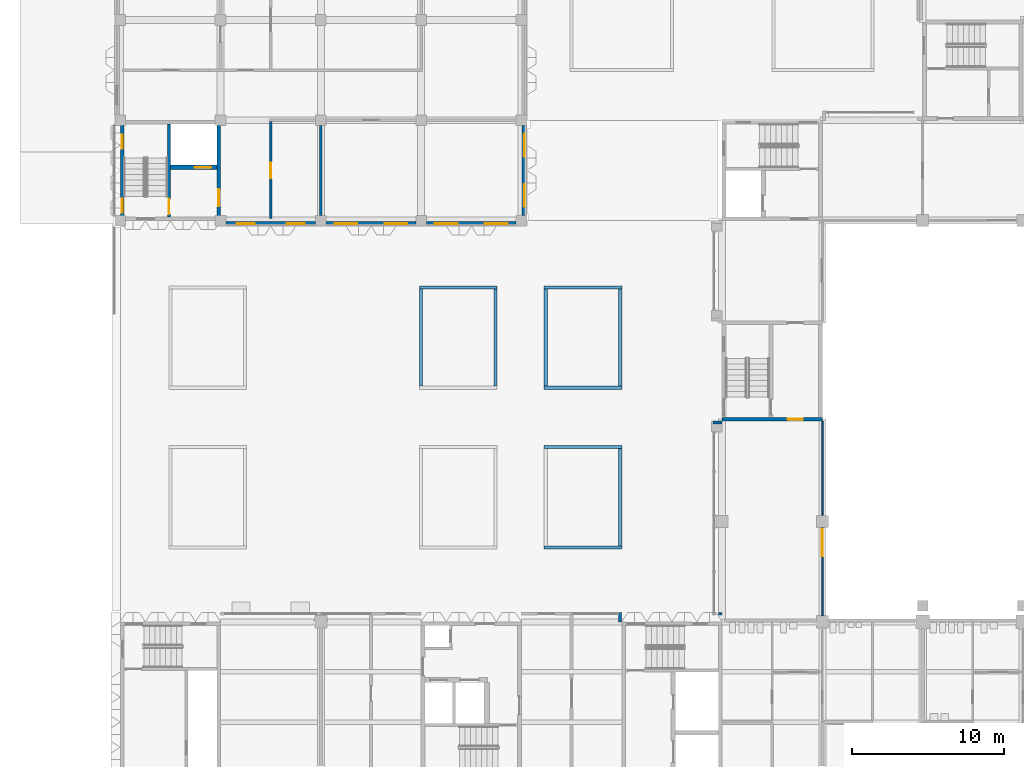
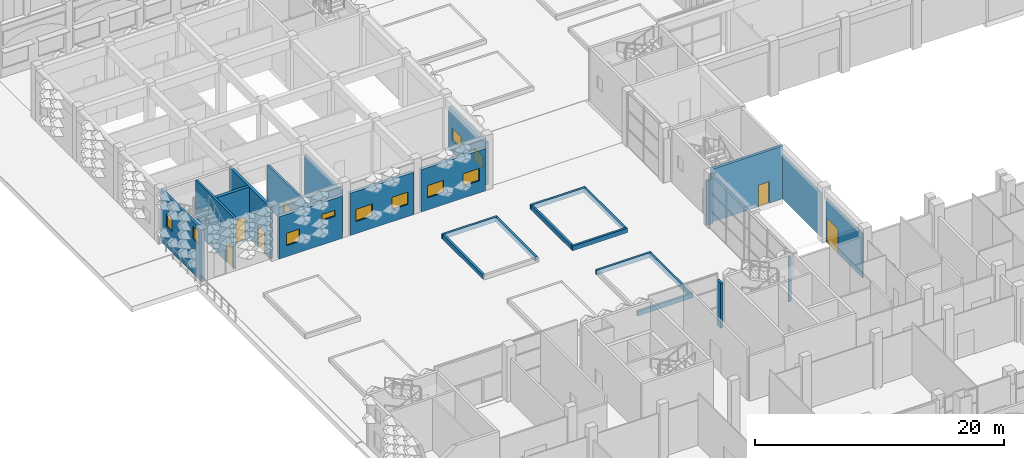
# One storey, part 31 of 85: 26 walls, 10 windows, 6 doors, 16 openings.
"""IFC4 building model written with IfcOpenShell, lengths in metres."""

import ifcopenshell
import ifcopenshell.guid

model = None  # the IFC model being written
_history = None  # IfcOwnerHistory: only IFC2X3 demands one
_inside = {}  # id of a spatial element -> (the spatial element, [elements in it])
_under = {}  # id of a project, library or spatial element -> (it, [spatial elements below it])
_declared = {}  # id of a project -> (the project, [libraries it declares])
_typed = {}  # id of a type object -> (the type object, [elements of that type])
_made_of = {}  # id of a material, layer set ... -> (it, [elements and type objects made of it])


def new_model(schema):
    """Start an empty IFC model of exactly this schema.

    Asked for "IFC4X3", IfcOpenShell would pick the latest addendum, in which some entities
    have other attributes; the version numbers below select the first issue.
    IFC2X3 requires an IfcOwnerHistory on every rooted entity: one is made here for all.
    """
    global model, _history
    if schema == "IFC4X3":
        model = ifcopenshell.file(schema_version=(4, 3, 0, 0))
    else:
        model = ifcopenshell.file(schema=schema)
    _inside.clear()
    _under.clear()
    _declared.clear()
    _typed.clear()
    _made_of.clear()
    _history = None
    if model.schema == "IFC2X3":
        org = make("IfcOrganization", Name="unknown")
        user = make(
            "IfcPersonAndOrganization",
            ThePerson=make("IfcPerson", FamilyName="unknown"),
            TheOrganization=org,
        )
        app = make(
            "IfcApplication",
            ApplicationDeveloper=org,
            Version="unknown",
            ApplicationFullName="unknown",
            ApplicationIdentifier="unknown",
        )
        _history = make(
            "IfcOwnerHistory",
            OwningUser=user,
            OwningApplication=app,
            ChangeAction="ADDED",
            CreationDate=0,
        )
    return model


def make(cls, **values):
    """One entity of the class cls with the attributes given. An attribute that is None is left unset."""
    return model.create_entity(
        cls, **{name: value for name, value in values.items() if value is not None}
    )


def rooted(cls, **values):
    """An entity with a GlobalId (a new one), such as an element, a storey or a relation."""
    return make(cls, GlobalId=ifcopenshell.guid.new(), OwnerHistory=_history, **values)


def si_unit(unit_type, name, prefix=None):
    """IfcSIUnit, for example si_unit("LENGTHUNIT", "METRE", prefix="MILLI")."""
    return make("IfcSIUnit", UnitType=unit_type, Prefix=prefix, Name=name)


def assignment(units):
    """IfcUnitAssignment: the units of a project."""
    return None if units is None else make("IfcUnitAssignment", Units=units)


def point(xyz):
    """IfcCartesianPoint."""
    return None if xyz is None else make("IfcCartesianPoint", Coordinates=xyz)


def direction(xyz):
    """IfcDirection."""
    return None if xyz is None else make("IfcDirection", DirectionRatios=xyz)


def frame(location, z_axis=None, x_axis=None):
    """IfcAxis2Placement3D, a coordinate frame: its origin and axes. An axis left out is left unset."""
    return make(
        "IfcAxis2Placement3D",
        Location=point(location),
        Axis=direction(z_axis),
        RefDirection=direction(x_axis),
    )


def frame_2d(location, x_axis=None):
    """IfcAxis2Placement2D, a coordinate frame in the plane: its origin and x axis."""
    return make(
        "IfcAxis2Placement2D", Location=point(location), RefDirection=direction(x_axis)
    )


def origin():
    """The frame at (0, 0, 0) with its axes left unset."""
    return frame((0.0, 0.0, 0.0))


def place(relative_to, where):
    """IfcLocalPlacement: puts the frame where relative to a parent placement (None: the world)."""
    return make(
        "IfcLocalPlacement", PlacementRelTo=relative_to, RelativePlacement=where
    )


def context(
    kind, dimensions, precision=None, world=None, true_north=None, identifier=None
):
    """IfcGeometricRepresentationContext, for example the 3D "Model" context."""
    return make(
        "IfcGeometricRepresentationContext",
        ContextIdentifier=identifier,
        ContextType=kind,
        CoordinateSpaceDimension=dimensions,
        Precision=precision,
        WorldCoordinateSystem=world,
        TrueNorth=true_north,
    )


def subcontext(parent, identifier, kind, view, scale=None):
    """IfcGeometricRepresentationSubContext, for example "Body" below "Model"."""
    return make(
        "IfcGeometricRepresentationSubContext",
        ContextIdentifier=identifier,
        ContextType=kind,
        ParentContext=parent,
        TargetScale=scale,
        TargetView=view,
    )


def project(units=None, contexts=None):
    """IfcProject with its units and contexts."""
    return rooted(
        "IfcProject",
        Name="project",
        RepresentationContexts=contexts,
        UnitsInContext=assignment(units),
    )


def spatial(cls, under=None, at=None, **own):
    """A site, building, storey or space (cls), placed at a placement, below another one or the project."""
    s = rooted(cls, ObjectPlacement=at, **own)
    if under is not None:
        _under.setdefault(under.id(), (under, []))[1].append(s)
    return s


def profile(cls, at=None, kind="AREA", **sizes):
    """A parametric profile (cls). Its sizes go by their IFC names, for example OverallWidth=200.0."""
    return make(cls, ProfileType=kind, Position=at, **sizes)


def rectangle(**sizes):
    """IfcRectangleProfileDef."""
    return profile("IfcRectangleProfileDef", **sizes)


def extrude(swept, where, along, depth):
    """IfcExtrudedAreaSolid: the profile swept, set in the frame where, extruded along a direction by depth."""
    return make(
        "IfcExtrudedAreaSolid",
        SweptArea=swept,
        Position=where,
        ExtrudedDirection=direction(along),
        Depth=depth,
    )


def shape(context_of_items, identifier, shape_type, items):
    """IfcShapeRepresentation: the items that make up one representation, for example the "Body"."""
    return make(
        "IfcShapeRepresentation",
        ContextOfItems=context_of_items,
        RepresentationIdentifier=identifier,
        RepresentationType=shape_type,
        Items=items,
    )


def material(Name=None, Category=None):
    """IfcMaterial."""
    return make("IfcMaterial", Name=Name, Category=Category)


def layer(
    of_material, thickness, ventilated=None, Name=None, Category=None, Priority=None
):
    """IfcMaterialLayer: one layer of a wall or slab, of a material (None: an air gap)."""
    return make(
        "IfcMaterialLayer",
        Material=of_material,
        LayerThickness=thickness,
        IsVentilated=ventilated,
        Name=Name,
        Category=Category,
        Priority=Priority,
    )


def layer_set(layers, Name=None):
    """IfcMaterialLayerSet."""
    return make("IfcMaterialLayerSet", MaterialLayers=layers, LayerSetName=Name)


def made_of(thing, what):
    """Note that an element or type object is made of a material, layer set ...; save() writes the relation."""
    if what is not None:
        _made_of.setdefault(what.id(), (what, []))[1].append(thing)
    return thing


def type_object(cls, material=None, **own):
    """A type object (cls), such as IfcWallType, which elements share."""
    return made_of(rooted(cls, **own), material)


def element(
    cls,
    number,
    at=None,
    inside=None,
    cuts=None,
    type_object=None,
    material=None,
    context=None,
    identifier="Body",
    shape_type=None,
    held_by="IfcProductDefinitionShape",
    body=None,
    shapes=None,
    **own,
):
    """One element of the class cls, such as IfcWall. Its Tag is "e" and its number.

    at: its placement. inside: the storey or other place that contains it. cuts: it is an
    opening in that element (IfcRelVoidsElement). A single representation is given by context,
    identifier, shape_type and body (its items); several are given by shapes. held_by: the class
    of the entity that holds the representations. save() writes the other relations.
    """
    e = rooted(cls, Tag="e%d" % number, ObjectPlacement=at, **own)
    if body is not None:
        shapes = [shape(context, identifier, shape_type, body)]
    if shapes is not None:
        e.Representation = make(held_by, Representations=shapes)
    if inside is not None:
        _inside.setdefault(inside.id(), (inside, []))[1].append(e)
    if cuts is not None:
        rooted(
            "IfcRelVoidsElement", RelatingBuildingElement=cuts, RelatedOpeningElement=e
        )
    if type_object is not None:
        _typed.setdefault(type_object.id(), (type_object, []))[1].append(e)
    return made_of(e, material)


def fill(opening, filler):
    """IfcRelFillsElement: the door or window that sits in an opening."""
    return rooted(
        "IfcRelFillsElement",
        RelatingOpeningElement=opening,
        RelatedBuildingElement=filler,
    )


def aggregate(whole, parts):
    """IfcRelAggregates: a whole, such as a stair, and the parts it consists of."""
    return rooted("IfcRelAggregates", RelatingObject=whole, RelatedObjects=parts)


def save(model, path):
    """Write the relations noted so far, then the file.

    IfcRelAggregates (storeys below a building ...), IfcRelContainedInSpatialStructure (elements
    in a storey), IfcRelDefinesByType, IfcRelAssociatesMaterial and IfcRelDeclares: one each for
    every whole, place, type object, material and project.
    """
    for whole, parts in _under.values():
        aggregate(whole, parts)
    for where, things in _inside.values():
        rooted(
            "IfcRelContainedInSpatialStructure",
            RelatedElements=things,
            RelatingStructure=where,
        )
    for kind, things in _typed.values():
        rooted("IfcRelDefinesByType", RelatedObjects=things, RelatingType=kind)
    for what, things in _made_of.values():
        rooted("IfcRelAssociatesMaterial", RelatedObjects=things, RelatingMaterial=what)
    for by, libraries in _declared.values():
        rooted("IfcRelDeclares", RelatingContext=by, RelatedDefinitions=libraries)
    model.write(path)


model = new_model("IFC4")

# Units and contexts
model_context = context("Model", 3, precision=1e-05, world=origin(), true_north=direction((0.0, 1.0)))
body_context = subcontext(model_context, "Body", "Model", "MODEL_VIEW")
ifc_project = project(units=[si_unit("LENGTHUNIT", "METRE"), si_unit("AREAUNIT", "SQUARE_METRE"), si_unit("VOLUMEUNIT", "CUBIC_METRE"), si_unit("PLANEANGLEUNIT", "RADIAN"), si_unit("MASSUNIT", "GRAM", prefix="KILO")], contexts=[model_context])

# Site, building, storey
site_placement = place(None, origin())
site = spatial("IfcSite", under=ifc_project, at=site_placement, CompositionType="ELEMENT")
building_placement = place(site_placement, origin())
building = spatial("IfcBuilding", under=site, at=building_placement, Name="Lantern Court Research Institute", CompositionType="ELEMENT")
storey_placement = place(building_placement, origin())
storey = spatial("IfcBuildingStorey", under=building, at=storey_placement, Name="L00", CompositionType="ELEMENT", Elevation=0.0)

# Wall, opening, door
ifc_material_1 = material(Name="Coated metal-faced insulated panel")
ifc_layer_1 = layer(ifc_material_1, 0.175048828125)
ifc_layer_set_1 = layer_set([ifc_layer_1], Name="Coated metal-faced insulated panel")
wall_type_1 = type_object("IfcWallType", Name="Clean room wall 175 mm EI 60", PredefinedType="PARTITIONING", material=ifc_layer_set_1)
wall_1_placement = place(storey_placement, frame((9.89990234375, 56.012939453125, 0.0), z_axis=(0.0, 0.0, 1.0), x_axis=(0.0, -1.0, 0.0)))
wall_1 = element("IfcWall", 1, at=wall_1_placement, inside=storey, type_object=wall_type_1, Name="Wall V3-L00-010", PredefinedType="PARTITIONING", context=body_context, shape_type="SweptSolid", body=[
    extrude(rectangle(XDim=6.363037109375, YDim=0.175048828125, at=frame_2d((3.181640625, 0.0))), origin(), (0.0, 0.0, 1.0), 4.14990234375),
])
opening_1_placement = place(wall_1_placement, frame((2.712890625, 0.0, 0.0)))
opening_1 = element("IfcOpeningElement", 2, at=opening_1_placement, cuts=wall_1, Name="Opening D3006", PredefinedType="OPENING", context=body_context, shape_type="SweptSolid", body=[
    extrude(rectangle(XDim=1.0, YDim=2.10009765625, at=frame_2d((0.5, 1.050048828125))), frame((0.0, 0.097412109375, 0.0), z_axis=(0.0, -1.0, 0.0), x_axis=(1.0, 0.0, 0.0)), (0.0, 0.0, 1.0), 0.195068359375),
])
ifc_material_2 = material(Name="Coated metal door leaf")
door_type_1 = type_object("IfcDoorType", Name="Door 1000 x 2100 plant FD60", OperationType="NOTDEFINED", PredefinedType="DOOR", material=ifc_material_2)
door_1_placement = place(opening_1_placement, origin())
door_1 = element("IfcDoor", 3, at=door_1_placement, inside=storey, type_object=door_type_1, Name="Door D3006", OperationType="SINGLE_SWING_RIGHT", OverallHeight=2.10009765625, OverallWidth=1.0, PredefinedType="DOOR", context=body_context, shape_type="SweptSolid", body=[
    extrude(rectangle(XDim=1.0, YDim=2.10009765625, at=frame_2d((0.5, 1.050048828125))), frame((0.0, 0.02490234375, 0.0), z_axis=(0.0, -1.0, 0.0), x_axis=(1.0, 0.0, 0.0)), (0.0, 0.0, 1.0), 0.050048828125),
])
fill(opening_1, door_1)

# Walls
wall_2_placement = place(storey_placement, frame((13.199951171875, 49.85009765625, 0.0), z_axis=(0.0, 0.0, 1.0), x_axis=(0.0, 1.0, 0.0)))
element("IfcWall", 4, at=wall_2_placement, inside=storey, type_object=wall_type_1, Name="Wall V3-L00-012", PredefinedType="PARTITIONING", context=body_context, shape_type="SweptSolid", body=[
    extrude(rectangle(XDim=5.89990234375, YDim=0.175048828125, at=frame_2d((2.949951171875, 0.0))), origin(), (0.0, 0.0, 1.0), 4.14990234375),
])
ifc_material_3 = material(Name="Aluminium alloy 6063-T6", Category="aluminium")
ifc_layer_2 = layer(ifc_material_3, 0.14990234375)
ifc_layer_set_2 = layer_set([ifc_layer_2], Name="Aluminium alloy 6063-T6")
wall_type_2 = type_object("IfcWallType", Name="Entrance screen wall 150 aluminium", PredefinedType="STANDARD", material=ifc_layer_set_2)
wall_3_placement = place(storey_placement, frame((39.375, 23.625, 0.0), z_axis=(0.0, 0.0, 1.0), x_axis=(1.0, 0.0, 0.0)))
element("IfcWall", 5, at=wall_3_placement, inside=storey, type_object=wall_type_2, Name="Exterior wall EW029", PredefinedType="STANDARD", context=body_context, shape_type="SweptSolid", body=[
    extrude(rectangle(XDim=0.22509765625, YDim=0.14990234375, at=frame_2d((0.112548828125, 0.0))), origin(), (0.0, 0.0, 1.0), 4.35009765625),
])

# Wall, opening, door
ifc_material_4 = material(Name="Fire-resistant laminated glass in aluminium frame", Category="aluminium")
ifc_layer_3 = layer(ifc_material_4, 0.10009765625)
ifc_layer_set_3 = layer_set([ifc_layer_3], Name="Fire-resistant laminated glass in aluminium frame")
wall_type_3 = type_object("IfcWallType", Name="Glazed screen 100 mm EI 60", PredefinedType="PARTITIONING", material=ifc_layer_set_3)
wall_4_placement = place(storey_placement, frame((46.199951171875, 29.300048828125, 0.0), z_axis=(0.0, 0.0, 1.0), x_axis=(0.0, -1.0, 0.0)))
wall_4 = element("IfcWall", 6, at=wall_4_placement, inside=storey, type_object=wall_type_3, Name="Wall V2-L00-010", PredefinedType="PARTITIONING", context=body_context, shape_type="SweptSolid", body=[
    extrude(rectangle(XDim=5.800048828125, YDim=0.10009765625, at=frame_2d((2.89990234375, 0.0))), origin(), (0.0, 0.0, 1.0), 4.35009765625),
])
opening_2_placement = place(wall_4_placement, frame((0.10009765625, 0.0, 0.0)))
opening_2 = element("IfcOpeningElement", 7, at=opening_2_placement, cuts=wall_4, Name="Opening D2002", PredefinedType="OPENING", context=body_context, shape_type="SweptSolid", body=[
    extrude(rectangle(XDim=1.800048828125, YDim=2.39990234375, at=frame_2d((0.89990234375, 1.199951171875))), frame((0.0, 0.06005859375, 0.0), z_axis=(0.0, -1.0, 0.0), x_axis=(1.0, 0.0, 0.0)), (0.0, 0.0, 1.0), 0.1201171875),
])
ifc_material_5 = material(Name="Fire-resistant glazed aluminium door leaf", Category="aluminium")
door_type_2 = type_object("IfcDoorType", Name="Door 1800 x 2400 glazed screen pair FD30S", OperationType="DOUBLE_DOOR_SINGLE_SWING", PredefinedType="DOOR", material=ifc_material_5)
door_2_placement = place(opening_2_placement, origin())
door_2 = element("IfcDoor", 8, at=door_2_placement, inside=storey, type_object=door_type_2, Name="Door D2002", OperationType="DOUBLE_DOOR_SINGLE_SWING", OverallHeight=2.39990234375, OverallWidth=1.800048828125, PredefinedType="DOOR", context=body_context, shape_type="SweptSolid", body=[
    extrude(rectangle(XDim=1.800048828125, YDim=2.39990234375, at=frame_2d((0.89990234375, 1.199951171875))), frame((0.0, 0.02490234375, 0.0), z_axis=(0.0, -1.0, 0.0), x_axis=(1.0, 0.0, 0.0)), (0.0, 0.0, 1.0), 0.050048828125),
])
fill(opening_2, door_2)

# Wall
wall_5_placement = place(storey_placement, frame((46.199951171875, 30.10009765625, 0.0), z_axis=(0.0, 0.0, 1.0), x_axis=(0.0, 1.0, 0.0)))
element("IfcWall", 9, at=wall_5_placement, inside=storey, type_object=wall_type_3, Name="Wall V2-L00-011", PredefinedType="PARTITIONING", context=body_context, shape_type="SweptSolid", body=[
    extrude(rectangle(XDim=6.199951171875, YDim=0.10009765625, at=frame_2d((3.10009765625, 0.0))), origin(), (0.0, 0.0, 1.0), 4.35009765625),
])

# Wall, openings, windows
ifc_material_6 = material(Name="Aluminium composite panel with mineral wool insulation", Category="aluminium")
ifc_layer_4 = layer(ifc_material_6, 0.300048828125)
ifc_layer_set_4 = layer_set([ifc_layer_4], Name="Aluminium composite panel with mineral wool insulation")
wall_type_4 = type_object("IfcWallType", Name="Insulated panel wall 300 aluminium faced", PredefinedType="STANDARD", material=ifc_layer_set_4)
wall_6_placement = place(storey_placement, frame((26.60009765625, 55.75, 0.0), z_axis=(0.0, 0.0, 1.0), x_axis=(0.0, -1.0, 0.0)))
wall_6 = element("IfcWall", 10, at=wall_6_placement, inside=storey, type_object=wall_type_4, Name="Exterior wall EW014", PredefinedType="STANDARD", context=body_context, shape_type="SweptSolid", body=[
    extrude(rectangle(XDim=5.89990234375, YDim=0.300048828125, at=frame_2d((2.949951171875, 0.0))), origin(), (0.0, 0.0, 1.0), 4.14990234375),
])
opening_3_placement = place(wall_6_placement, frame((3.85009765625, 0.0, 1.199951171875)))
opening_3 = element("IfcOpeningElement", 11, at=opening_3_placement, cuts=wall_6, Name="Opening W04", PredefinedType="OPENING", context=body_context, shape_type="SweptSolid", body=[
    extrude(rectangle(XDim=1.5, YDim=1.199951171875, at=frame_2d((0.75, 0.60009765625))), frame((0.0, 0.159912109375, 0.0), z_axis=(0.0, -1.0, 0.0), x_axis=(1.0, 0.0, 0.0)), (0.0, 0.0, 1.0), 0.320068359375),
])
opening_4_placement = place(wall_6_placement, frame((0.550048828125, 0.0, 1.199951171875)))
opening_4 = element("IfcOpeningElement", 12, at=opening_4_placement, cuts=wall_6, Name="Opening W04", PredefinedType="OPENING", context=body_context, shape_type="SweptSolid", body=[
    extrude(rectangle(XDim=1.5, YDim=1.199951171875, at=frame_2d((0.75, 0.60009765625))), frame((0.0, 0.159912109375, 0.0), z_axis=(0.0, -1.0, 0.0), x_axis=(1.0, 0.0, 0.0)), (0.0, 0.0, 1.0), 0.320068359375),
])
ifc_material_7 = material(Name="Aluminium frame with laminated low-emissivity glazing", Category="aluminium")
window_type_1 = type_object("IfcWindowType", Name="Laboratory window 1500 x 1200", PartitioningType="SINGLE_PANEL", PredefinedType="WINDOW", material=ifc_material_7)
window_1_placement = place(opening_3_placement, origin())
window_1 = element("IfcWindow", 13, at=window_1_placement, inside=storey, type_object=window_type_1, Name="Window W04 V3E L00", OverallHeight=1.199951171875, OverallWidth=1.5, PartitioningType="SINGLE_PANEL", PredefinedType="WINDOW", context=body_context, shape_type="SweptSolid", body=[
    extrude(rectangle(XDim=1.5, YDim=1.199951171875, at=frame_2d((0.75, 0.60009765625))), frame((0.0, 0.030029296875, 0.0), z_axis=(0.0, -1.0, 0.0), x_axis=(1.0, 0.0, 0.0)), (0.0, 0.0, 1.0), 0.06005859375),
])
fill(opening_3, window_1)
window_2_placement = place(opening_4_placement, origin())
window_2 = element("IfcWindow", 14, at=window_2_placement, inside=storey, type_object=window_type_1, Name="Window W04 V3E L00", OverallHeight=1.199951171875, OverallWidth=1.5, PartitioningType="SINGLE_PANEL", PredefinedType="WINDOW", context=body_context, shape_type="SweptSolid", body=[
    extrude(rectangle(XDim=1.5, YDim=1.199951171875, at=frame_2d((0.75, 0.60009765625))), frame((0.0, 0.030029296875, 0.0), z_axis=(0.0, -1.0, 0.0), x_axis=(1.0, 0.0, 0.0)), (0.0, 0.0, 1.0), 0.06005859375),
])
fill(opening_4, window_2)

wall_7_placement = place(storey_placement, frame((12.85009765625, 49.300048828125, 0.0), z_axis=(0.0, 0.0, 1.0), x_axis=(-1.0, 0.0, 0.0)))
wall_7 = element("IfcWall", 15, at=wall_7_placement, inside=storey, type_object=wall_type_4, Name="Exterior wall EW020", PredefinedType="STANDARD", context=body_context, shape_type="SweptSolid", body=[
    extrude(rectangle(XDim=5.900146484375, YDim=0.300048828125, at=frame_2d((2.9501953125, 0.0))), origin(), (0.0, 0.0, 1.0), 4.14990234375),
])
opening_5_placement = place(wall_7_placement, frame((4.0, 0.0, 1.10009765625)))
opening_5 = element("IfcOpeningElement", 16, at=opening_5_placement, cuts=wall_7, Name="Opening W05", PredefinedType="OPENING", context=body_context, shape_type="SweptSolid", body=[
    extrude(rectangle(XDim=1.199951171875, YDim=1.199951171875, at=frame_2d((0.60009765625, 0.60009765625))), frame((0.0, 0.159912109375, 0.0), z_axis=(0.0, -1.0, 0.0), x_axis=(1.0, 0.0, 0.0)), (0.0, 0.0, 1.0), 0.320068359375),
])
opening_6_placement = place(wall_7_placement, frame((0.699951171875, 0.0, 2.39990234375)))
opening_6 = element("IfcOpeningElement", 17, at=opening_6_placement, cuts=wall_7, Name="Opening W06", PredefinedType="OPENING", context=body_context, shape_type="SweptSolid", body=[
    extrude(rectangle(XDim=1.199951171875, YDim=0.60009765625, at=frame_2d((0.60009765625, 0.300048828125))), frame((0.0, 0.159912109375, 0.0), z_axis=(0.0, -1.0, 0.0), x_axis=(1.0, 0.0, 0.0)), (0.0, 0.0, 1.0), 0.320068359375),
])
ifc_material_8 = material(Name="Aluminium frame with laminated low-emissivity glazing", Category="aluminium")
window_type_2 = type_object("IfcWindowType", Name="Corridor end window 1200 x 1200", PartitioningType="SINGLE_PANEL", PredefinedType="WINDOW", material=ifc_material_8)
window_3_placement = place(opening_5_placement, origin())
window_3 = element("IfcWindow", 18, at=window_3_placement, inside=storey, type_object=window_type_2, Name="Window W05 V3S L00", OverallHeight=1.199951171875, OverallWidth=1.199951171875, PartitioningType="SINGLE_PANEL", PredefinedType="WINDOW", context=body_context, shape_type="SweptSolid", body=[
    extrude(rectangle(XDim=1.199951171875, YDim=1.199951171875, at=frame_2d((0.60009765625, 0.60009765625))), frame((0.0, 0.030029296875, 0.0), z_axis=(0.0, -1.0, 0.0), x_axis=(1.0, 0.0, 0.0)), (0.0, 0.0, 1.0), 0.06005859375),
])
fill(opening_5, window_3)
ifc_material_9 = material(Name="Aluminium frame with laminated low-emissivity glazing", Category="aluminium")
window_type_3 = type_object("IfcWindowType", Name="Store high-level window 1200 x 600", PartitioningType="SINGLE_PANEL", PredefinedType="WINDOW", material=ifc_material_9)
window_4_placement = place(opening_6_placement, origin())
window_4 = element("IfcWindow", 19, at=window_4_placement, inside=storey, type_object=window_type_3, Name="Window W06 V3S L00", OverallHeight=0.60009765625, OverallWidth=1.199951171875, PartitioningType="SINGLE_PANEL", PredefinedType="WINDOW", context=body_context, shape_type="SweptSolid", body=[
    extrude(rectangle(XDim=1.199951171875, YDim=0.60009765625, at=frame_2d((0.60009765625, 0.300048828125))), frame((0.0, 0.030029296875, 0.0), z_axis=(0.0, -1.0, 0.0), x_axis=(1.0, 0.0, 0.0)), (0.0, 0.0, 1.0), 0.06005859375),
])
fill(opening_6, window_4)

wall_8_placement = place(storey_placement, frame((19.449951171875, 49.300048828125, 0.0), z_axis=(0.0, 0.0, 1.0), x_axis=(-1.0, 0.0, 0.0)))
wall_8 = element("IfcWall", 20, at=wall_8_placement, inside=storey, type_object=wall_type_4, Name="Exterior wall EW021", PredefinedType="STANDARD", context=body_context, shape_type="SweptSolid", body=[
    extrude(rectangle(XDim=5.89990234375, YDim=0.300048828125, at=frame_2d((2.949951171875, 0.0))), origin(), (0.0, 0.0, 1.0), 4.14990234375),
])
opening_7_placement = place(wall_8_placement, frame((3.85009765625, 0.0, 1.199951171875)))
opening_7 = element("IfcOpeningElement", 21, at=opening_7_placement, cuts=wall_8, Name="Opening W04", PredefinedType="OPENING", context=body_context, shape_type="SweptSolid", body=[
    extrude(rectangle(XDim=1.5, YDim=1.199951171875, at=frame_2d((0.75, 0.60009765625))), frame((0.0, 0.159912109375, 0.0), z_axis=(0.0, -1.0, 0.0), x_axis=(1.0, 0.0, 0.0)), (0.0, 0.0, 1.0), 0.320068359375),
])
opening_8_placement = place(wall_8_placement, frame((0.550048828125, 0.0, 1.199951171875)))
opening_8 = element("IfcOpeningElement", 22, at=opening_8_placement, cuts=wall_8, Name="Opening W04", PredefinedType="OPENING", context=body_context, shape_type="SweptSolid", body=[
    extrude(rectangle(XDim=1.5, YDim=1.199951171875, at=frame_2d((0.75, 0.60009765625))), frame((0.0, 0.159912109375, 0.0), z_axis=(0.0, -1.0, 0.0), x_axis=(1.0, 0.0, 0.0)), (0.0, 0.0, 1.0), 0.320068359375),
])
window_5_placement = place(opening_7_placement, origin())
window_5 = element("IfcWindow", 23, at=window_5_placement, inside=storey, type_object=window_type_1, Name="Window W04 V3S L00", OverallHeight=1.199951171875, OverallWidth=1.5, PartitioningType="SINGLE_PANEL", PredefinedType="WINDOW", context=body_context, shape_type="SweptSolid", body=[
    extrude(rectangle(XDim=1.5, YDim=1.199951171875, at=frame_2d((0.75, 0.60009765625))), frame((0.0, 0.030029296875, 0.0), z_axis=(0.0, -1.0, 0.0), x_axis=(1.0, 0.0, 0.0)), (0.0, 0.0, 1.0), 0.06005859375),
])
fill(opening_7, window_5)
window_6_placement = place(opening_8_placement, origin())
window_6 = element("IfcWindow", 24, at=window_6_placement, inside=storey, type_object=window_type_1, Name="Window W04 V3S L00", OverallHeight=1.199951171875, OverallWidth=1.5, PartitioningType="SINGLE_PANEL", PredefinedType="WINDOW", context=body_context, shape_type="SweptSolid", body=[
    extrude(rectangle(XDim=1.5, YDim=1.199951171875, at=frame_2d((0.75, 0.60009765625))), frame((0.0, 0.030029296875, 0.0), z_axis=(0.0, -1.0, 0.0), x_axis=(1.0, 0.0, 0.0)), (0.0, 0.0, 1.0), 0.06005859375),
])
fill(opening_8, window_6)

wall_9_placement = place(storey_placement, frame((26.050048828125, 49.300048828125, 0.0), z_axis=(0.0, 0.0, 1.0), x_axis=(-1.0, 0.0, 0.0)))
wall_9 = element("IfcWall", 25, at=wall_9_placement, inside=storey, type_object=wall_type_4, Name="Exterior wall EW022", PredefinedType="STANDARD", context=body_context, shape_type="SweptSolid", body=[
    extrude(rectangle(XDim=5.900146484375, YDim=0.300048828125, at=frame_2d((2.9501953125, 0.0))), origin(), (0.0, 0.0, 1.0), 4.14990234375),
])
opening_9_placement = place(wall_9_placement, frame((3.85009765625, 0.0, 1.199951171875)))
opening_9 = element("IfcOpeningElement", 26, at=opening_9_placement, cuts=wall_9, Name="Opening W04", PredefinedType="OPENING", context=body_context, shape_type="SweptSolid", body=[
    extrude(rectangle(XDim=1.5, YDim=1.199951171875, at=frame_2d((0.75, 0.60009765625))), frame((0.0, 0.159912109375, 0.0), z_axis=(0.0, -1.0, 0.0), x_axis=(1.0, 0.0, 0.0)), (0.0, 0.0, 1.0), 0.320068359375),
])
opening_10_placement = place(wall_9_placement, frame((0.550048828125, 0.0, 1.199951171875)))
opening_10 = element("IfcOpeningElement", 27, at=opening_10_placement, cuts=wall_9, Name="Opening W04", PredefinedType="OPENING", context=body_context, shape_type="SweptSolid", body=[
    extrude(rectangle(XDim=1.5, YDim=1.199951171875, at=frame_2d((0.75, 0.60009765625))), frame((0.0, 0.159912109375, 0.0), z_axis=(0.0, -1.0, 0.0), x_axis=(1.0, 0.0, 0.0)), (0.0, 0.0, 1.0), 0.320068359375),
])
window_7_placement = place(opening_9_placement, origin())
window_7 = element("IfcWindow", 28, at=window_7_placement, inside=storey, type_object=window_type_1, Name="Window W04 V3S L00", OverallHeight=1.199951171875, OverallWidth=1.5, PartitioningType="SINGLE_PANEL", PredefinedType="WINDOW", context=body_context, shape_type="SweptSolid", body=[
    extrude(rectangle(XDim=1.5, YDim=1.199951171875, at=frame_2d((0.75, 0.60009765625))), frame((0.0, 0.030029296875, 0.0), z_axis=(0.0, -1.0, 0.0), x_axis=(1.0, 0.0, 0.0)), (0.0, 0.0, 1.0), 0.06005859375),
])
fill(opening_9, window_7)
window_8_placement = place(opening_10_placement, origin())
window_8 = element("IfcWindow", 29, at=window_8_placement, inside=storey, type_object=window_type_1, Name="Window W04 V3S L00", OverallHeight=1.199951171875, OverallWidth=1.5, PartitioningType="SINGLE_PANEL", PredefinedType="WINDOW", context=body_context, shape_type="SweptSolid", body=[
    extrude(rectangle(XDim=1.5, YDim=1.199951171875, at=frame_2d((0.75, 0.60009765625))), frame((0.0, 0.030029296875, 0.0), z_axis=(0.0, -1.0, 0.0), x_axis=(1.0, 0.0, 0.0)), (0.0, 0.0, 1.0), 0.06005859375),
])
fill(opening_10, window_8)

# Walls
ifc_material_10 = material(Name="Rendered blockwork", Category="masonry")
ifc_layer_5 = layer(ifc_material_10, 0.199951171875)
ifc_layer_set_5 = layer_set([ifc_layer_5], Name="Rendered blockwork")
wall_type_5 = type_object("IfcWallType", Name="Planter wall 200 mm", PredefinedType="PARTITIONING", material=ifc_layer_set_5)
wall_10_placement = place(storey_placement, frame((19.699951171875, 45.10009765625, 0.0), z_axis=(0.0, 0.0, 1.0), x_axis=(1.0, 0.0, 0.0)))
element("IfcWall", 30, at=wall_10_placement, inside=storey, type_object=wall_type_5, Name="Planter wall court 4.2", PredefinedType="PARTITIONING", context=body_context, shape_type="SweptSolid", body=[
    extrude(rectangle(XDim=5.10009765625, YDim=0.199951171875, at=frame_2d((2.550048828125, 0.0))), origin(), (0.0, 0.0, 1.0), 0.449951171875),
])
for number, where, z_axis, x_axis, name in (
    (31, (19.800048828125, 38.60009765625, 0.0), (0.0, 0.0, 1.0), (0.0, 1.0, 0.0), "Planter wall court 4.3"),
    (32, (24.699951171875, 38.60009765625, 0.0), (0.0, 0.0, 1.0), (0.0, 1.0, 0.0), "Planter wall court 4.4"),
):
    element("IfcWall", number, at=place(storey_placement, frame(where, z_axis=z_axis, x_axis=x_axis)), inside=storey, type_object=wall_type_5, Name=name, PredefinedType="PARTITIONING", context=body_context, shape_type="SweptSolid", body=[
        extrude(rectangle(XDim=6.39990234375, YDim=0.199951171875, at=frame_2d((3.199951171875, 0.0))), origin(), (0.0, 0.0, 1.0), 0.449951171875),
    ])
for number, where, z_axis, x_axis, name in (
    (33, (27.89990234375, 28.0, 0.0), (0.0, 0.0, 1.0), (1.0, 0.0, 0.0), "Planter wall court 5.1"),
    (34, (27.89990234375, 34.60009765625, 0.0), (0.0, 0.0, 1.0), (1.0, 0.0, 0.0), "Planter wall court 5.2"),
):
    element("IfcWall", number, at=place(storey_placement, frame(where, z_axis=z_axis, x_axis=x_axis)), inside=storey, type_object=wall_type_5, Name=name, PredefinedType="PARTITIONING", context=body_context, shape_type="SweptSolid", body=[
        extrude(rectangle(XDim=5.10009765625, YDim=0.199951171875, at=frame_2d((2.550048828125, 0.0))), origin(), (0.0, 0.0, 1.0), 0.449951171875),
    ])
wall_11_placement = place(storey_placement, frame((32.89990234375, 28.10009765625, 0.0), z_axis=(0.0, 0.0, 1.0), x_axis=(0.0, 1.0, 0.0)))
element("IfcWall", 35, at=wall_11_placement, inside=storey, type_object=wall_type_5, Name="Planter wall court 5.4", PredefinedType="PARTITIONING", context=body_context, shape_type="SweptSolid", body=[
    extrude(rectangle(XDim=6.39990234375, YDim=0.199951171875, at=frame_2d((3.199951171875, 0.0))), origin(), (0.0, 0.0, 1.0), 0.449951171875),
])
for number, where, z_axis, x_axis, name in (
    (36, (27.89990234375, 38.5, 0.0), (0.0, 0.0, 1.0), (1.0, 0.0, 0.0), "Planter wall court 6.1"),
    (37, (27.89990234375, 45.10009765625, 0.0), (0.0, 0.0, 1.0), (1.0, 0.0, 0.0), "Planter wall court 6.2"),
):
    element("IfcWall", number, at=place(storey_placement, frame(where, z_axis=z_axis, x_axis=x_axis)), inside=storey, type_object=wall_type_5, Name=name, PredefinedType="PARTITIONING", context=body_context, shape_type="SweptSolid", body=[
        extrude(rectangle(XDim=5.10009765625, YDim=0.199951171875, at=frame_2d((2.550048828125, 0.0))), origin(), (0.0, 0.0, 1.0), 0.449951171875),
    ])
for number, where, z_axis, x_axis, name in (
    (38, (28.0, 38.60009765625, 0.0), (0.0, 0.0, 1.0), (0.0, 1.0, 0.0), "Planter wall court 6.3"),
    (39, (32.89990234375, 38.60009765625, 0.0), (0.0, 0.0, 1.0), (0.0, 1.0, 0.0), "Planter wall court 6.4"),
):
    element("IfcWall", number, at=place(storey_placement, frame(where, z_axis=z_axis, x_axis=x_axis)), inside=storey, type_object=wall_type_5, Name=name, PredefinedType="PARTITIONING", context=body_context, shape_type="SweptSolid", body=[
        extrude(rectangle(XDim=6.39990234375, YDim=0.199951171875, at=frame_2d((3.199951171875, 0.0))), origin(), (0.0, 0.0, 1.0), 0.449951171875),
    ])

# Wall, opening, door
ifc_material_11 = material(Name="Concrete C40/50", Category="concrete")
ifc_layer_6 = layer(ifc_material_11, 0.25)
ifc_layer_set_6 = layer_set([ifc_layer_6], Name="Concrete C40/50")
wall_type_6 = type_object("IfcWallType", Name="RC core wall 250", PredefinedType="SHEAR", material=ifc_layer_set_6)
wall_12_placement = place(storey_placement, frame((6.47509765625, 49.5, 0.0), z_axis=(0.0, 0.0, 1.0), x_axis=(0.0, 1.0, 0.0)))
wall_12 = element("IfcWall", 40, at=wall_12_placement, inside=storey, type_object=wall_type_6, Name="East wall of core CC-A", PredefinedType="SHEAR", context=body_context, shape_type="SweptSolid", body=[
    extrude(rectangle(XDim=6.60009765625, YDim=0.25, at=frame_2d((3.300048828125, 0.0))), origin(), (0.0, 0.0, 1.0), 5.050048828125),
])
opening_11_placement = place(wall_12_placement, frame((0.949951171875, 0.0, 0.0)))
opening_11 = element("IfcOpeningElement", 41, at=opening_11_placement, cuts=wall_12, Name="Opening D7276", PredefinedType="OPENING", context=body_context, shape_type="SweptSolid", body=[
    extrude(rectangle(XDim=1.10009765625, YDim=2.10009765625, at=frame_2d((0.550048828125, 1.050048828125))), frame((0.0, 0.135009765625, 0.0), z_axis=(0.0, -1.0, 0.0), x_axis=(1.0, 0.0, 0.0)), (0.0, 0.0, 1.0), 0.27001953125),
])
ifc_material_12 = material(Name="Steel fire door leaf with smoke seals", Category="steel")
door_type_3 = type_object("IfcDoorType", Name="Door 1100 x 2100 fire rated FD60S", OperationType="NOTDEFINED", PredefinedType="DOOR", material=ifc_material_12)
door_3_placement = place(opening_11_placement, origin())
door_3 = element("IfcDoor", 42, at=door_3_placement, inside=storey, type_object=door_type_3, Name="Lobby door", OperationType="SINGLE_SWING_RIGHT", OverallHeight=2.10009765625, OverallWidth=1.10009765625, PredefinedType="DOOR", context=body_context, shape_type="SweptSolid", body=[
    extrude(rectangle(XDim=1.10009765625, YDim=2.10009765625, at=frame_2d((0.550048828125, 1.050048828125))), frame((0.0, 0.02490234375, 0.0), z_axis=(0.0, -1.0, 0.0), x_axis=(1.0, 0.0, 0.0)), (0.0, 0.0, 1.0), 0.050048828125),
])
fill(opening_11, door_3)

wall_13_placement = place(storey_placement, frame((39.60009765625, 36.425048828125, 0.0), z_axis=(0.0, 0.0, 1.0), x_axis=(1.0, 0.0, 0.0)))
wall_13 = element("IfcWall", 43, at=wall_13_placement, inside=storey, type_object=wall_type_6, Name="South wall of core HC-C", PredefinedType="SHEAR", context=body_context, shape_type="SweptSolid", body=[
    extrude(rectangle(XDim=6.599853515625, YDim=0.25, at=frame_2d((3.2998046875, 0.0))), origin(), (0.0, 0.0, 1.0), 5.14990234375),
])
opening_12_placement = place(wall_13_placement, frame((4.324951171875, 0.0, 0.0)))
opening_12 = element("IfcOpeningElement", 44, at=opening_12_placement, cuts=wall_13, Name="Opening D7323", PredefinedType="OPENING", context=body_context, shape_type="SweptSolid", body=[
    extrude(rectangle(XDim=1.0, YDim=2.10009765625, at=frame_2d((0.5, 1.050048828125))), frame((0.0, 0.135009765625, 0.0), z_axis=(0.0, -1.0, 0.0), x_axis=(1.0, 0.0, 0.0)), (0.0, 0.0, 1.0), 0.27001953125),
])
ifc_material_13 = material(Name="Steel fire door leaf with smoke seals", Category="steel")
door_type_4 = type_object("IfcDoorType", Name="Door 1000 x 2100 fire rated FD60S", OperationType="NOTDEFINED", PredefinedType="DOOR", material=ifc_material_13)
door_4_placement = place(opening_12_placement, origin())
door_4 = element("IfcDoor", 45, at=door_4_placement, inside=storey, type_object=door_type_4, Name="Lobby door", OperationType="SINGLE_SWING_RIGHT", OverallHeight=2.10009765625, OverallWidth=1.0, PredefinedType="DOOR", context=body_context, shape_type="SweptSolid", body=[
    extrude(rectangle(XDim=1.0, YDim=2.10009765625, at=frame_2d((0.5, 1.050048828125))), frame((0.0, 0.02490234375, 0.0), z_axis=(0.0, -1.0, 0.0), x_axis=(1.0, 0.0, 0.0)), (0.0, 0.0, 1.0), 0.050048828125),
])
fill(opening_12, door_4)

# Wall, openings, windows
ifc_material_14 = material(Name="Concrete C40/50", Category="concrete")
ifc_layer_7 = layer(ifc_material_14, 0.25)
ifc_layer_set_7 = layer_set([ifc_layer_7], Name="Concrete C40/50")
wall_type_7 = type_object("IfcWallType", Name="RC core wall 250 facade", PredefinedType="SHEAR", material=ifc_layer_set_7)
wall_14_placement = place(storey_placement, frame((0.125, 49.5, 0.0), z_axis=(0.0, 0.0, 1.0), x_axis=(0.0, 1.0, 0.0)))
wall_14 = element("IfcWall", 46, at=wall_14_placement, inside=storey, type_object=wall_type_7, Name="West wall of core CC-A", PredefinedType="SHEAR", context=body_context, shape_type="SweptSolid", body=[
    extrude(rectangle(XDim=6.60009765625, YDim=0.25, at=frame_2d((3.300048828125, 0.0))), origin(), (0.0, 0.0, 1.0), 5.050048828125),
])
opening_13_placement = place(wall_14_placement, frame((4.735107421875, 0.0, 2.050048828125)))
opening_13 = element("IfcOpeningElement", 47, at=opening_13_placement, cuts=wall_14, Name="Opening W6", PredefinedType="OPENING", context=body_context, shape_type="SweptSolid", body=[
    extrude(rectangle(XDim=0.89990234375, YDim=1.199951171875, at=frame_2d((0.449951171875, 0.60009765625))), frame((0.0, 0.135009765625, 0.0), z_axis=(0.0, -1.0, 0.0), x_axis=(1.0, 0.0, 0.0)), (0.0, 0.0, 1.0), 0.27001953125),
])
opening_14_placement = place(wall_14_placement, frame((0.52490234375, 0.0, 3.39990234375)))
opening_14 = element("IfcOpeningElement", 48, at=opening_14_placement, cuts=wall_14, Name="Opening W6", PredefinedType="OPENING", context=body_context, shape_type="SweptSolid", body=[
    extrude(rectangle(XDim=0.89990234375, YDim=1.199951171875, at=frame_2d((0.449951171875, 0.60009765625))), frame((0.0, 0.135009765625, 0.0), z_axis=(0.0, -1.0, 0.0), x_axis=(1.0, 0.0, 0.0)), (0.0, 0.0, 1.0), 0.27001953125),
])
ifc_material_15 = material(Name="Aluminium alloy 6063-T6 frame with laminated glass", Category="aluminium")
window_type_4 = type_object("IfcWindowType", Name="Stair window 900 x 1200", PartitioningType="SINGLE_PANEL", PredefinedType="WINDOW", material=ifc_material_15)
window_9_placement = place(opening_13_placement, origin())
window_9 = element("IfcWindow", 49, at=window_9_placement, inside=storey, type_object=window_type_4, Name="Stair window", OverallHeight=1.199951171875, OverallWidth=0.89990234375, PartitioningType="SINGLE_PANEL", PredefinedType="WINDOW", context=body_context, shape_type="SweptSolid", body=[
    extrude(rectangle(XDim=0.89990234375, YDim=1.199951171875, at=frame_2d((0.449951171875, 0.60009765625))), frame((0.0, 0.030029296875, 0.0), z_axis=(0.0, -1.0, 0.0), x_axis=(1.0, 0.0, 0.0)), (0.0, 0.0, 1.0), 0.06005859375),
])
fill(opening_13, window_9)
window_10_placement = place(opening_14_placement, origin())
window_10 = element("IfcWindow", 50, at=window_10_placement, inside=storey, type_object=window_type_4, Name="Stair window", OverallHeight=1.199951171875, OverallWidth=0.89990234375, PartitioningType="SINGLE_PANEL", PredefinedType="WINDOW", context=body_context, shape_type="SweptSolid", body=[
    extrude(rectangle(XDim=0.89990234375, YDim=1.199951171875, at=frame_2d((0.449951171875, 0.60009765625))), frame((0.0, 0.030029296875, 0.0), z_axis=(0.0, -1.0, 0.0), x_axis=(1.0, 0.0, 0.0)), (0.0, 0.0, 1.0), 0.06005859375),
])
fill(opening_14, window_10)

# Wall, opening, door
ifc_material_16 = material(Name="Concrete C40/50", Category="concrete")
ifc_layer_8 = layer(ifc_material_16, 0.199951171875)
ifc_layer_set_8 = layer_set([ifc_layer_8], Name="Concrete C40/50")
wall_type_8 = type_object("IfcWallType", Name="RC shaft wall 200", PredefinedType="SHEAR", material=ifc_layer_set_8)
wall_15_placement = place(storey_placement, frame((3.199951171875, 49.75, 0.0), z_axis=(0.0, 0.0, 1.0), x_axis=(0.0, 1.0, 0.0)))
wall_15 = element("IfcWall", 51, at=wall_15_placement, inside=storey, type_object=wall_type_8, Name="Stair wall of core CC-A", PredefinedType="SHEAR", context=body_context, shape_type="SweptSolid", body=[
    extrude(rectangle(XDim=6.10009765625, YDim=0.199951171875, at=frame_2d((3.050048828125, 0.0))), origin(), (0.0, 0.0, 1.0), 5.050048828125),
])
opening_15_placement = place(wall_15_placement, frame((0.175048828125, 0.0, 0.0)))
opening_15 = element("IfcOpeningElement", 52, at=opening_15_placement, cuts=wall_15, Name="Opening D7277", PredefinedType="OPENING", context=body_context, shape_type="SweptSolid", body=[
    extrude(rectangle(XDim=1.0, YDim=2.10009765625, at=frame_2d((0.5, 1.050048828125))), frame((0.0, 0.10986328125, 0.0), z_axis=(0.0, -1.0, 0.0), x_axis=(1.0, 0.0, 0.0)), (0.0, 0.0, 1.0), 0.219970703125),
])
door_5_placement = place(opening_15_placement, origin())
door_5 = element("IfcDoor", 53, at=door_5_placement, inside=storey, type_object=door_type_4, Name="Stair door", OperationType="SINGLE_SWING_RIGHT", OverallHeight=2.10009765625, OverallWidth=1.0, PredefinedType="DOOR", context=body_context, shape_type="SweptSolid", body=[
    extrude(rectangle(XDim=1.0, YDim=2.10009765625, at=frame_2d((0.5, 1.050048828125))), frame((0.0, 0.02490234375, 0.0), z_axis=(0.0, -1.0, 0.0), x_axis=(1.0, 0.0, 0.0)), (0.0, 0.0, 1.0), 0.050048828125),
])
fill(opening_15, door_5)

ifc_material_17 = material(Name="Concrete C40/50", Category="concrete")
ifc_layer_9 = layer(ifc_material_17, 0.300048828125)
ifc_layer_set_9 = layer_set([ifc_layer_9], Name="Concrete C40/50")
wall_type_9 = type_object("IfcWallType", Name="RC shaft wall 300", PredefinedType="SHEAR", material=ifc_layer_set_9)
wall_16_placement = place(storey_placement, frame((6.35009765625, 53.0, 0.0), z_axis=(0.0, 0.0, 1.0), x_axis=(-1.0, 0.0, 0.0)))
wall_16 = element("IfcWall", 54, at=wall_16_placement, inside=storey, type_object=wall_type_9, Name="Lift shaft wall of core CC-A", PredefinedType="SHEAR", context=body_context, shape_type="SweptSolid", body=[
    extrude(rectangle(XDim=3.050048828125, YDim=0.300048828125, at=frame_2d((1.52490234375, 0.0))), origin(), (0.0, 0.0, 1.0), 5.050048828125),
])
opening_16_placement = place(wall_16_placement, frame((0.35009765625, 0.0, 0.0)))
opening_16 = element("IfcOpeningElement", 55, at=opening_16_placement, cuts=wall_16, Name="Opening D7279", PredefinedType="OPENING", context=body_context, shape_type="SweptSolid", body=[
    extrude(rectangle(XDim=1.10009765625, YDim=2.199951171875, at=frame_2d((0.550048828125, 1.10009765625))), frame((0.0, 0.159912109375, 0.0), z_axis=(0.0, -1.0, 0.0), x_axis=(1.0, 0.0, 0.0)), (0.0, 0.0, 1.0), 0.320068359375),
])
ifc_material_18 = material(Name="Stainless steel landing door panels", Category="steel")
door_type_5 = type_object("IfcDoorType", Name="Lift landing door 1100 x 2200 sliding FD60", OperationType="DOUBLE_DOOR_SLIDING", PredefinedType="NOTDEFINED", material=ifc_material_18)
door_6_placement = place(opening_16_placement, origin())
door_6 = element("IfcDoor", 56, at=door_6_placement, inside=storey, type_object=door_type_5, Name="Landing door", OperationType="DOUBLE_DOOR_SLIDING", OverallHeight=2.199951171875, OverallWidth=1.10009765625, PredefinedType="NOTDEFINED", context=body_context, shape_type="SweptSolid", body=[
    extrude(rectangle(XDim=1.10009765625, YDim=2.199951171875, at=frame_2d((0.550048828125, 1.10009765625))), frame((0.0, 0.02490234375, 0.0), z_axis=(0.0, -1.0, 0.0), x_axis=(1.0, 0.0, 0.0)), (0.0, 0.0, 1.0), 0.050048828125),
])
fill(opening_16, door_6)

# Walls
ifc_material_19 = material(Name="Concrete C40/50", Category="concrete")
ifc_layer_10 = layer(ifc_material_19, 0.199951171875)
ifc_layer_set_10 = layer_set([ifc_layer_10], Name="Concrete C40/50")
wall_type_10 = type_object("IfcWallType", Name="Return wall 200 concrete EI 120 aluminium faced", PredefinedType="STANDARD", material=ifc_layer_set_10)
wall_17_placement = place(storey_placement, frame((39.60009765625, 36.199951171875, 0.0), z_axis=(0.0, 0.0, 1.0), x_axis=(-1.0, 0.0, 0.0)))
element("IfcWall", 57, at=wall_17_placement, inside=storey, type_object=wall_type_10, Name="Core return wall 03", PredefinedType="STANDARD", context=body_context, shape_type="SweptSolid", body=[
    extrude(rectangle(XDim=0.60009765625, YDim=0.199951171875, at=frame_2d((0.300048828125, 0.0))), origin(), (0.0, 0.0, 1.0), 4.35009765625),
])
wall_18_placement = place(storey_placement, frame((32.89990234375, 23.10009765625, 0.0), z_axis=(0.0, 0.0, 1.0), x_axis=(0.0, 1.0, 0.0)))
element("IfcWall", 58, at=wall_18_placement, inside=storey, type_object=wall_type_10, Name="Core return wall 06", PredefinedType="STANDARD", context=body_context, shape_type="SweptSolid", body=[
    extrude(rectangle(XDim=0.599853515625, YDim=0.199951171875, at=frame_2d((0.2998046875, 0.0))), origin(), (0.0, 0.0, 1.0), 4.39990234375),
])

save(model, "model.ifc")
